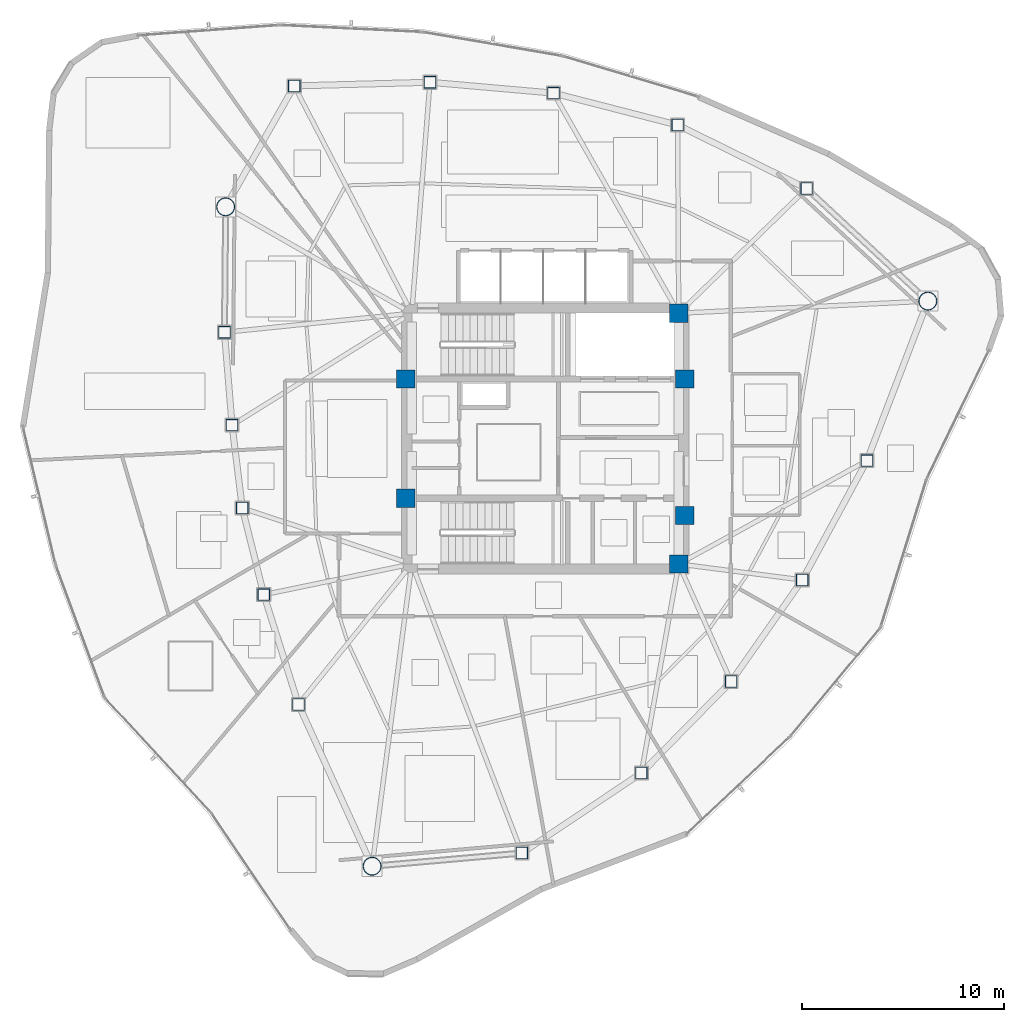
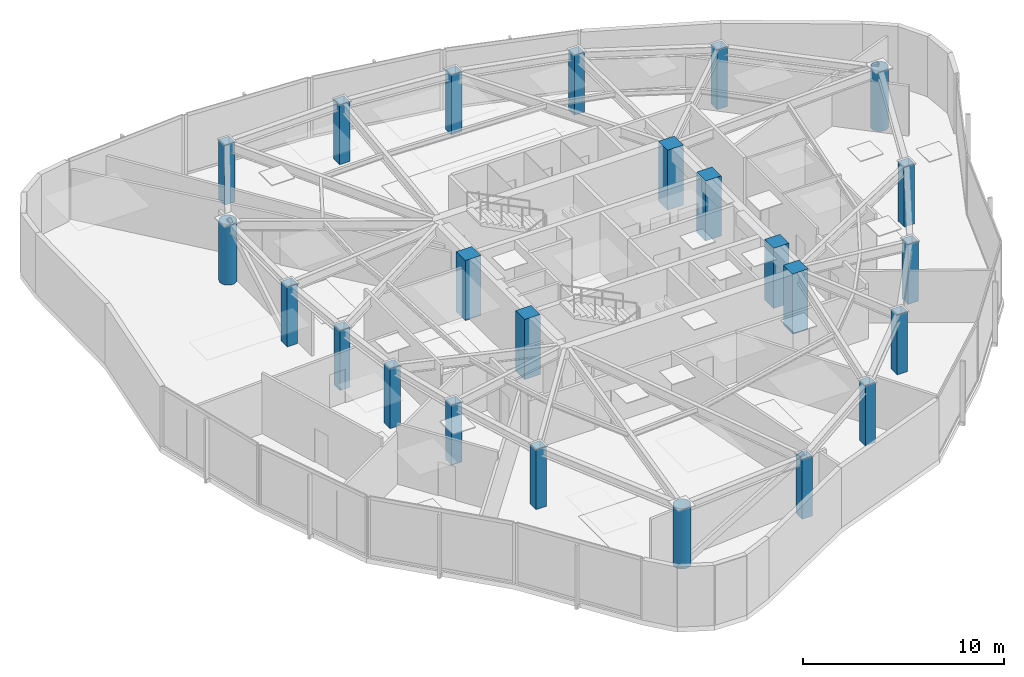
# One storey, part 1 of 13: 24 columns.
"""IFC4 building model written with IfcOpenShell, lengths in metres."""

from ifc_helpers import new_model, si_unit, direction, frame, origin, origin_2d, place, context, subcontext, project, spatial, rectangle, hollow_rectangle, hollow_circle, extrude, material, material_profile, profile_set, type_object, element, save


model = new_model("IFC4")

# Units and contexts
model_context = context("Model", 3, precision=1e-05, world=origin(), true_north=direction((0.0, 1.0)))
body_context = subcontext(model_context, "Body", "Model", "MODEL_VIEW")
ifc_project = project(units=[si_unit("LENGTHUNIT", "METRE"), si_unit("AREAUNIT", "SQUARE_METRE"), si_unit("VOLUMEUNIT", "CUBIC_METRE"), si_unit("PLANEANGLEUNIT", "RADIAN"), si_unit("MASSUNIT", "GRAM", prefix="KILO")], contexts=[model_context])

# Site, building, storey
site_placement = place(None, origin())
site = spatial("IfcSite", under=ifc_project, at=site_placement, CompositionType="ELEMENT")
building_placement = place(site_placement, origin())
building = spatial("IfcBuilding", under=site, at=building_placement, Name="Tavelor Broadcast Tower", CompositionType="ELEMENT")
storey_placement = place(building_placement, frame((0.0, 0.0, 237.949951171875)))
storey = spatial("IfcBuildingStorey", under=building, at=storey_placement, Name="L56", CompositionType="ELEMENT", Elevation=237.949951171875)

# Columns
ifc_material_1 = material(Name="Concrete C50/60", Category="concrete")
ifc_material_profile_1 = material_profile(ifc_material_1, rectangle(XDim=0.89990234375, YDim=0.89990234375, at=origin_2d()), Name="RC 900x900")
ifc_profile_set_1 = profile_set([ifc_material_profile_1], Name="Concrete C50/60")
column_type_1 = type_object("IfcColumnType", Name="Core Embedded Composite Column RC900", PredefinedType="COLUMN", material=ifc_profile_set_1)
for number, where, z_axis, x_axis, name in (
    (1, (43.10009765625, 47.949951171875, 0.0), (0.0, 0.0, 1.0), (1.0, 0.0, 0.0), "L56 Core Embedded Column 1"),
    (2, (56.89990234375, 47.949951171875, 0.0), (0.0, 0.0, 1.0), (1.0, 0.0, 0.0), "L56 Core Embedded Column 2"),
    (3, (56.60009765625, 51.199951171875, 0.0), (0.0, 0.0, 1.0), (1.0, 0.0, 0.0), "L56 Core Embedded Column 3"),
    (4, (43.10009765625, 42.050048828125, 0.0), (0.0, 0.0, 1.0), (1.0, 0.0, 0.0), "L56 Core Embedded Column 4"),
    (5, (56.89990234375, 41.199951171875, 0.0), (0.0, 0.0, 1.0), (1.0, 0.0, 0.0), "L56 Core Embedded Column 5"),
    (6, (56.60009765625, 38.800048828125, 0.0), (0.0, 0.0, 1.0), (1.0, 0.0, 0.0), "L56 Core Embedded Column 6"),
):
    element("IfcColumn", number, at=place(storey_placement, frame(where, z_axis=z_axis, x_axis=x_axis)), inside=storey, type_object=column_type_1, Name=name, PredefinedType="COLUMN", context=body_context, shape_type="SweptSolid", body=[
        extrude(rectangle(XDim=0.89990234375, YDim=0.89990234375, at=origin_2d()), origin(), (0.0, 0.0, 1.0), 3.650146484375),
    ])
ifc_material_2 = material(Name="Steel S460", Category="steel")
ifc_material_profile_2 = material_profile(ifc_material_2, hollow_rectangle(XDim=0.60009765625, YDim=0.60009765625, WallThickness=0.035888671875, at=origin_2d()), Name="SHS 600x600x36")
ifc_profile_set_2 = profile_set([ifc_material_profile_2], Name="Steel S460")
column_type_2 = type_object("IfcColumnType", Name="Perimeter Tube Column T5 SHS 600x600x36", PredefinedType="COLUMN", material=ifc_profile_set_2)
for number, where, z_axis, x_axis, name in (
    (7, (34.13720703125, 50.255859375, 0.0), (0.0, 0.0, 1.0), (1.0, 0.0, 0.0), "L56 Perimeter Framed-Tube Column 02"),
    (8, (34.513671875, 45.66455078125, 0.0), (0.0, 0.0, 1.0), (1.0, 0.0, 0.0), "L56 Perimeter Framed-Tube Column 03"),
    (9, (35.018798828125, 41.56396484375, 0.0), (0.0, 0.0, 1.0), (1.0, 0.0, 0.0), "L56 Perimeter Framed-Tube Column 04"),
    (10, (36.08349609375, 37.2822265625, 0.0), (0.0, 0.0, 1.0), (1.0, 0.0, 0.0), "L56 Perimeter Framed-Tube Column 05"),
    (11, (37.797119140625, 31.853271484375, 0.0), (0.0, 0.0, 1.0), (1.0, 0.0, 0.0), "L56 Perimeter Framed-Tube Column 06"),
    (12, (48.843994140625, 24.5048828125, 0.0), (0.0, 0.0, 1.0), (1.0, 0.0, 0.0), "L56 Perimeter Framed-Tube Column 08"),
    (13, (54.754150390625, 28.461669921875, 0.0), (0.0, 0.0, 1.0), (1.0, 0.0, 0.0), "L56 Perimeter Framed-Tube Column 09"),
    (14, (59.1923828125, 32.987060546875, 0.0), (0.0, 0.0, 1.0), (1.0, 0.0, 0.0), "L56 Perimeter Framed-Tube Column 10"),
    (15, (62.7109375, 38.009033203125, 0.0), (0.0, 0.0, 1.0), (1.0, 0.0, 0.0), "L56 Perimeter Framed-Tube Column 11"),
    (16, (65.9072265625, 43.909423828125, 0.0), (0.0, 0.0, 1.0), (1.0, 0.0, 0.0), "L56 Perimeter Framed-Tube Column 12"),
    (17, (62.92724609375, 57.364013671875, 0.0), (0.0, 0.0, 1.0), (1.0, 0.0, 0.0), "L56 Perimeter Framed-Tube Column 14"),
    (18, (56.545654296875, 60.504150390625, 0.0), (0.0, 0.0, 1.0), (1.0, 0.0, 0.0), "L56 Perimeter Framed-Tube Column 15"),
    (19, (50.4072265625, 62.0849609375, 0.0), (0.0, 0.0, 1.0), (1.0, 0.0, 0.0), "L56 Perimeter Framed-Tube Column 16"),
    (20, (44.298828125, 62.621337890625, 0.0), (0.0, 0.0, 1.0), (1.0, 0.0, 0.0), "L56 Perimeter Framed-Tube Column 17"),
    (21, (37.5908203125, 62.439208984375, 0.0), (0.0, 0.0, 1.0), (1.0, 0.0, 0.0), "L56 Perimeter Framed-Tube Column 18"),
):
    element("IfcColumn", number, at=place(storey_placement, frame(where, z_axis=z_axis, x_axis=x_axis)), inside=storey, type_object=column_type_2, Name=name, PredefinedType="COLUMN", context=body_context, shape_type="SweptSolid", body=[
        extrude(hollow_rectangle(XDim=0.60009765625, YDim=0.60009765625, WallThickness=0.035888671875, at=origin_2d()), origin(), (0.0, 0.0, 1.0), 3.650146484375),
    ])
ifc_material_profile_3 = material_profile(ifc_material_2, hollow_circle(Radius=0.45703125, WallThickness=0.0400390625, at=origin_2d()), Name="CHS 914x40")
ifc_profile_set_3 = profile_set([ifc_material_profile_3], Name="Steel S460")
column_type_3 = type_object("IfcColumnType", Name="Tower Mega Column T5 CHS 914x40", PredefinedType="COLUMN", material=ifc_profile_set_3)
for number, where, z_axis, x_axis, name in (
    (22, (34.1962890625, 56.4599609375, 0.0), (0.0, 0.0, 1.0), (1.0, 0.0, 0.0), "L56 Tower Corner Mega Column 01"),
    (23, (41.440185546875, 23.853759765625, 0.0), (0.0, 0.0, 1.0), (1.0, 0.0, 0.0), "L56 Tower Corner Mega Column 07"),
    (24, (68.919677734375, 51.799072265625, 0.0), (0.0, 0.0, 1.0), (1.0, 0.0, 0.0), "L56 Tower Corner Mega Column 13"),
):
    element("IfcColumn", number, at=place(storey_placement, frame(where, z_axis=z_axis, x_axis=x_axis)), inside=storey, type_object=column_type_3, Name=name, PredefinedType="COLUMN", context=body_context, shape_type="SweptSolid", body=[
        extrude(hollow_circle(Radius=0.45703125, WallThickness=0.0400390625, at=origin_2d()), origin(), (0.0, 0.0, 1.0), 3.650146484375),
    ])

save(model, "model.ifc")
